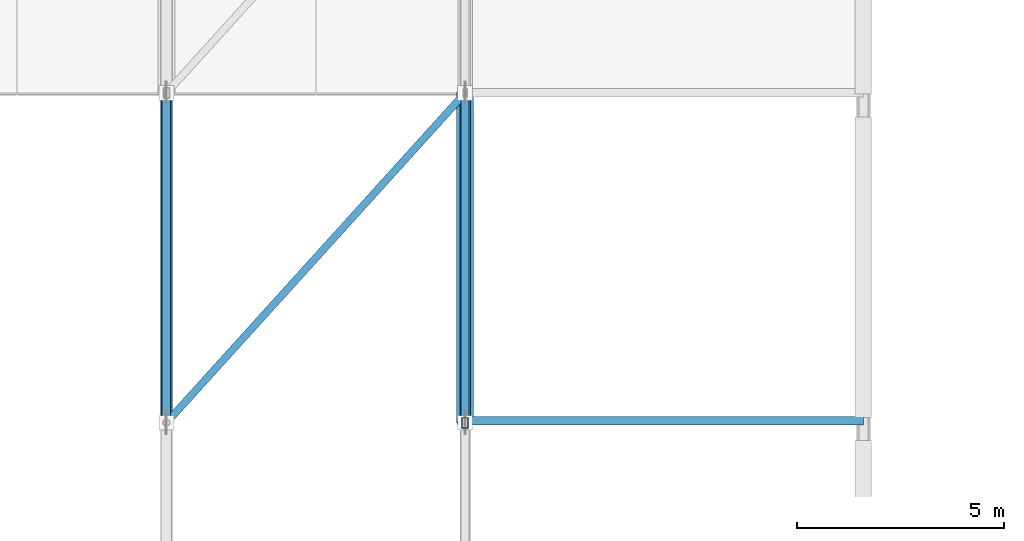
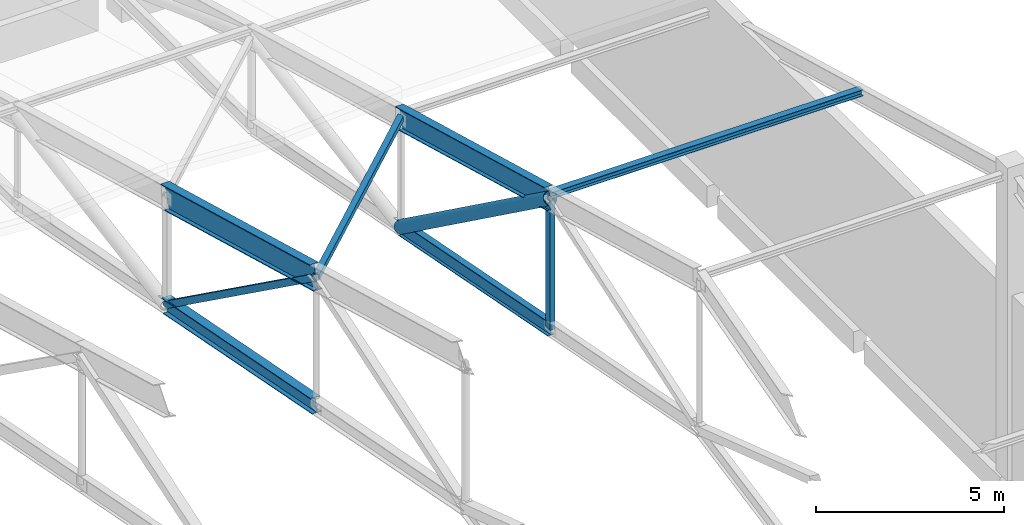
# One storey, part 21 of 53: 5 members, 4 beams.
"""IFC4 building model written with IfcOpenShell, lengths in metres."""

from ifc_helpers import new_model, si_unit, direction, frame, origin, origin_2d, place, context, subcontext, project, spatial, hollow_rectangle, hollow_circle, i_section, extrude, material, material_profile, profile_set, type_object, element, save


model = new_model("IFC4")

# Units and contexts
model_context = context("Model", 3, precision=1e-05, world=origin(), true_north=direction((0.0, 1.0)))
body_context = subcontext(model_context, "Body", "Model", "MODEL_VIEW")
ifc_project = project(units=[si_unit("LENGTHUNIT", "METRE"), si_unit("AREAUNIT", "SQUARE_METRE"), si_unit("VOLUMEUNIT", "CUBIC_METRE"), si_unit("PLANEANGLEUNIT", "RADIAN"), si_unit("MASSUNIT", "GRAM", prefix="KILO")], contexts=[model_context])

# Site, building, storey
site_placement = place(None, origin())
site = spatial("IfcSite", under=ifc_project, at=site_placement, CompositionType="ELEMENT")
building_placement = place(site_placement, origin())
building = spatial("IfcBuilding", under=site, at=building_placement, Name="Pellamere Symphony Hall", CompositionType="ELEMENT")
storey_placement = place(building_placement, frame((0.0, 0.0, 24.0)))
storey = spatial("IfcBuildingStorey", under=building, at=storey_placement, Name="L05", CompositionType="ELEMENT", Elevation=24.0)

# Beams
ifc_material = material(Name="Steel CSA G40.21 350W", Category="steel")
ifc_material_profile_1 = material_profile(ifc_material, i_section(OverallWidth=0.26806640625, OverallDepth=0.77001953125, WebThickness=0.015625, FlangeThickness=0.025390625, at=origin_2d()), Name="W760X196")
ifc_profile_set_1 = profile_set([ifc_material_profile_1], Name="Steel CSA G40.21 350W")
beam_type_1 = type_object("IfcBeamType", Name="Steel Beam SB-06 W760X196", PredefinedType="BEAM", material=ifc_profile_set_1)
beam_1_placement = place(storey_placement, frame((102.0, 69.75, 7.419921875), z_axis=(0.0, 0.964090435702, -0.265574154969), x_axis=(-1.0, 0.0, 0.0)))
element("IfcBeam", 1, at=beam_1_placement, inside=storey, type_object=beam_type_1, Name="Roof Truss TR-07 Top Chord 6", PredefinedType="BEAM", context=body_context, shape_type="SweptSolid", body=[
    extrude(i_section(OverallWidth=0.26806640625, OverallDepth=0.77001953125, WebThickness=0.015625, FlangeThickness=0.025390625, at=origin_2d()), origin(), (0.0, 0.0, 1.0), 8.24609375),
])
ifc_material_profile_2 = material_profile(ifc_material, i_section(OverallWidth=0.25390625, OverallDepth=0.68798828125, WebThickness=0.01318359375, FlangeThickness=0.02099609375, at=origin_2d()), Name="W690X152")
ifc_profile_set_2 = profile_set([ifc_material_profile_2], Name="Steel CSA G40.21 350W")
beam_type_2 = type_object("IfcBeamType", Name="Steel Beam SB-08 W690X152", PredefinedType="BEAM", material=ifc_profile_set_2)
beam_2_placement = place(storey_placement, frame((109.199951171875, 69.75, 7.4609375), z_axis=(0.0, 0.964090435702, -0.265574154969), x_axis=(-1.0, 0.0, 0.0)))
element("IfcBeam", 2, at=beam_2_placement, inside=storey, type_object=beam_type_2, Name="Roof Truss TR-08 Top Chord 6", PredefinedType="BEAM", context=body_context, shape_type="SweptSolid", body=[
    extrude(i_section(OverallWidth=0.25390625, OverallDepth=0.68798828125, WebThickness=0.01318359375, FlangeThickness=0.02099609375, at=origin_2d()), origin(), (0.0, 0.0, 1.0), 8.24609375),
])
ifc_material_profile_3 = material_profile(ifc_material, i_section(OverallWidth=0.282958984375, OverallDepth=0.471923828125, WebThickness=0.013671875, FlangeThickness=0.022216796875, at=origin_2d()), Name="W460X144")
ifc_profile_set_3 = profile_set([ifc_material_profile_3], Name="Steel CSA G40.21 350W")
beam_type_3 = type_object("IfcBeamType", Name="Steel Beam SB-15 W460X144", PredefinedType="BEAM", material=ifc_profile_set_3)
beam_3_placement = place(storey_placement, frame((102.0, 69.75, 3.25341796875), z_axis=(0.0, 0.981596715528, -0.190965672477), x_axis=(-1.0, 0.0, 0.0)))
element("IfcBeam", 3, at=beam_3_placement, inside=storey, type_object=beam_type_3, Name="Roof Truss TR-07 Bottom Chord 6", PredefinedType="BEAM", context=body_context, shape_type="SweptSolid", body=[
    extrude(i_section(OverallWidth=0.282958984375, OverallDepth=0.471923828125, WebThickness=0.013671875, FlangeThickness=0.022216796875, at=origin_2d()), origin(), (0.0, 0.0, 1.0), 8.09912109375),
])
ifc_material_profile_4 = material_profile(ifc_material, i_section(OverallWidth=0.194091796875, OverallDepth=0.468994140625, WebThickness=0.011474609375, FlangeThickness=0.019287109375, at=origin_2d()), Name="W460X106")
ifc_profile_set_4 = profile_set([ifc_material_profile_4], Name="Steel CSA G40.21 350W")
beam_type_4 = type_object("IfcBeamType", Name="Steel Beam SB-16 W460X106", PredefinedType="BEAM", material=ifc_profile_set_4)
beam_4_placement = place(storey_placement, frame((109.199951171875, 69.75, 3.25341796875), z_axis=(0.0, 0.981596715528, -0.190965672477), x_axis=(-1.0, 0.0, 0.0)))
element("IfcBeam", 4, at=beam_4_placement, inside=storey, type_object=beam_type_4, Name="Roof Truss TR-08 Bottom Chord 6", PredefinedType="BEAM", context=body_context, shape_type="SweptSolid", body=[
    extrude(i_section(OverallWidth=0.194091796875, OverallDepth=0.468994140625, WebThickness=0.011474609375, FlangeThickness=0.019287109375, at=origin_2d()), origin(), (0.0, 0.0, 1.0), 8.09912109375),
])

# Members
ifc_material_profile_5 = material_profile(ifc_material, hollow_rectangle(XDim=0.203125, YDim=0.203125, WallThickness=0.010986328125, at=origin_2d()), Name="HSS203X203X11")
ifc_profile_set_5 = profile_set([ifc_material_profile_5], Name="Steel CSA G40.21 350W")
member_type_1 = type_object("IfcMemberType", Name="Steel Member SM-04 HSS203X203X11", PredefinedType="BRACE", material=ifc_profile_set_5)
member_1_placement = place(storey_placement, frame((102.0, 69.75, 7.419921875), z_axis=(0.0, 0.812058581199, -0.583575925395), x_axis=(-1.0, 0.0, 0.0)))
element("IfcMember", 5, at=member_1_placement, inside=storey, type_object=member_type_1, Name="Roof Truss TR-07 Web Diagonal 6", PredefinedType="BRACE", context=body_context, shape_type="SweptSolid", body=[
    extrude(hollow_rectangle(XDim=0.203125, YDim=0.203125, WallThickness=0.010986328125, at=origin_2d()), origin(), (0.0, 0.0, 1.0), 9.789794921875),
])
ifc_material_profile_6 = material_profile(ifc_material, hollow_rectangle(XDim=0.177734375, YDim=0.177734375, WallThickness=0.009521484375, at=origin_2d()), Name="HSS178X178X10")
ifc_profile_set_6 = profile_set([ifc_material_profile_6], Name="Steel CSA G40.21 350W")
member_type_2 = type_object("IfcMemberType", Name="Steel Member SM-05 HSS178X178X10", PredefinedType="BRACE", material=ifc_profile_set_6)
member_2_placement = place(storey_placement, frame((102.0, 69.75, 7.419921875), z_axis=(0.658198735355, 0.726761568593, -0.19644858664), x_axis=(-0.741204587213, 0.67127919668, 0.0)))
element("IfcMember", 6, at=member_2_placement, inside=storey, type_object=member_type_2, Name="Roof Truss Plan Wind Brace 7.5", PredefinedType="BRACE", context=body_context, shape_type="SweptSolid", body=[
    extrude(hollow_rectangle(XDim=0.177734375, YDim=0.177734375, WallThickness=0.009521484375, at=origin_2d()), origin(), (0.0, 0.0, 1.0), 10.93896484375),
])
ifc_material_profile_7 = material_profile(ifc_material, hollow_rectangle(XDim=0.15234375, YDim=0.25390625, WallThickness=0.010986328125, at=origin_2d()), Name="HSS254X152X11")
ifc_profile_set_7 = profile_set([ifc_material_profile_7], Name="Steel CSA G40.21 350W")
member_type_3 = type_object("IfcMemberType", Name="Steel Member SM-07 HSS254X152X11", PredefinedType="STRUT", material=ifc_profile_set_7)
member_3_placement = place(storey_placement, frame((109.199951171875, 69.75, 3.25341796875), z_axis=(0.0, 0.0, 1.0), x_axis=(1.0, 0.0, 0.0)))
element("IfcMember", 7, at=member_3_placement, inside=storey, type_object=member_type_3, Name="Roof Truss TR-08 Vertical Post 5", PredefinedType="STRUT", context=body_context, shape_type="SweptSolid", body=[
    extrude(hollow_rectangle(XDim=0.15234375, YDim=0.25390625, WallThickness=0.010986328125, at=origin_2d()), origin(), (0.0, 0.0, 1.0), 4.20751953125),
])
ifc_material_profile_8 = material_profile(ifc_material, hollow_circle(Radius=0.203125, WallThickness=0.0126953125, at=origin_2d()), Name="HSS406X13")
ifc_profile_set_8 = profile_set([ifc_material_profile_8], Name="Steel CSA G40.21 350W")
member_type_4 = type_object("IfcMemberType", Name="Steel Member SM-09 HSS406X13", PredefinedType="STRUT", material=ifc_profile_set_8)
member_4_placement = place(storey_placement, frame((109.199951171875, 69.75, 7.4609375), z_axis=(0.0, 0.810073317353, -0.586328594316), x_axis=(-1.0, 0.0, 0.0)))
element("IfcMember", 8, at=member_4_placement, inside=storey, type_object=member_type_4, Name="Roof Truss TR-08 Web Diagonal 6", PredefinedType="STRUT", context=body_context, shape_type="SweptSolid", body=[
    extrude(hollow_circle(Radius=0.203125, WallThickness=0.0126953125, at=origin_2d()), origin(), (0.0, 0.0, 1.0), 9.81396484375),
])
ifc_material_profile_9 = material_profile(ifc_material, i_section(OverallWidth=0.2041015625, OverallDepth=0.2060546875, WebThickness=0.0078125, FlangeThickness=0.0126953125, at=origin_2d()), Name="W200X52")
ifc_profile_set_9 = profile_set([ifc_material_profile_9], Name="Steel CSA G40.21 350W")
member_type_5 = type_object("IfcMemberType", Name="Steel Member SM-15 W200X52", PredefinedType="PURLIN", material=ifc_profile_set_9)
member_5_placement = place(storey_placement, frame((109.199951171875, 69.800048828125, 7.55615234375), z_axis=(1.0, 0.0, 0.0), x_axis=(0.0, 1.0, 0.0)))
element("IfcMember", 9, at=member_5_placement, inside=storey, type_object=member_type_5, Name="Crystal Foyer Roof Purlin E.5", PredefinedType="PURLIN", context=body_context, shape_type="SweptSolid", body=[
    extrude(i_section(OverallWidth=0.2041015625, OverallDepth=0.2060546875, WebThickness=0.0078125, FlangeThickness=0.0126953125, at=origin_2d()), origin(), (0.0, 0.0, 1.0), 9.60009765625),
])

save(model, "model.ifc")
